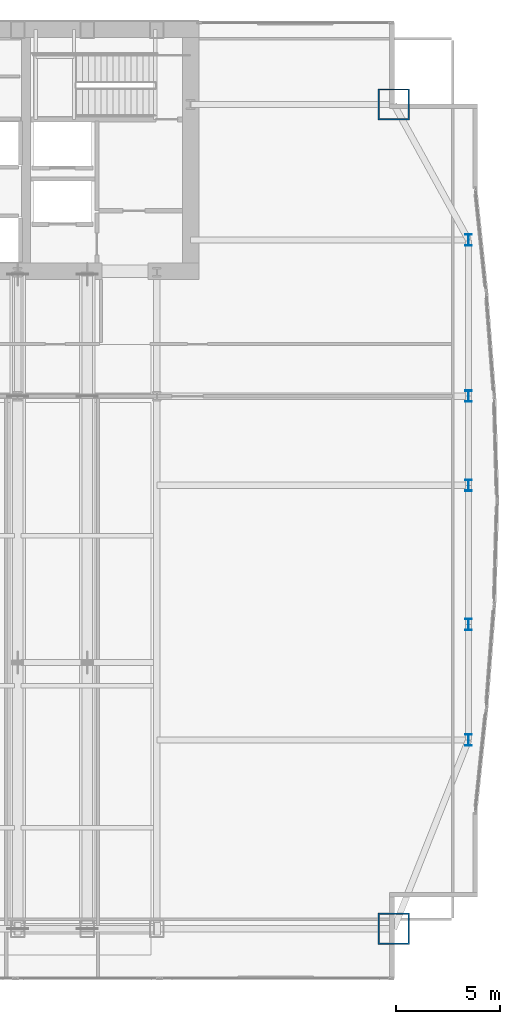
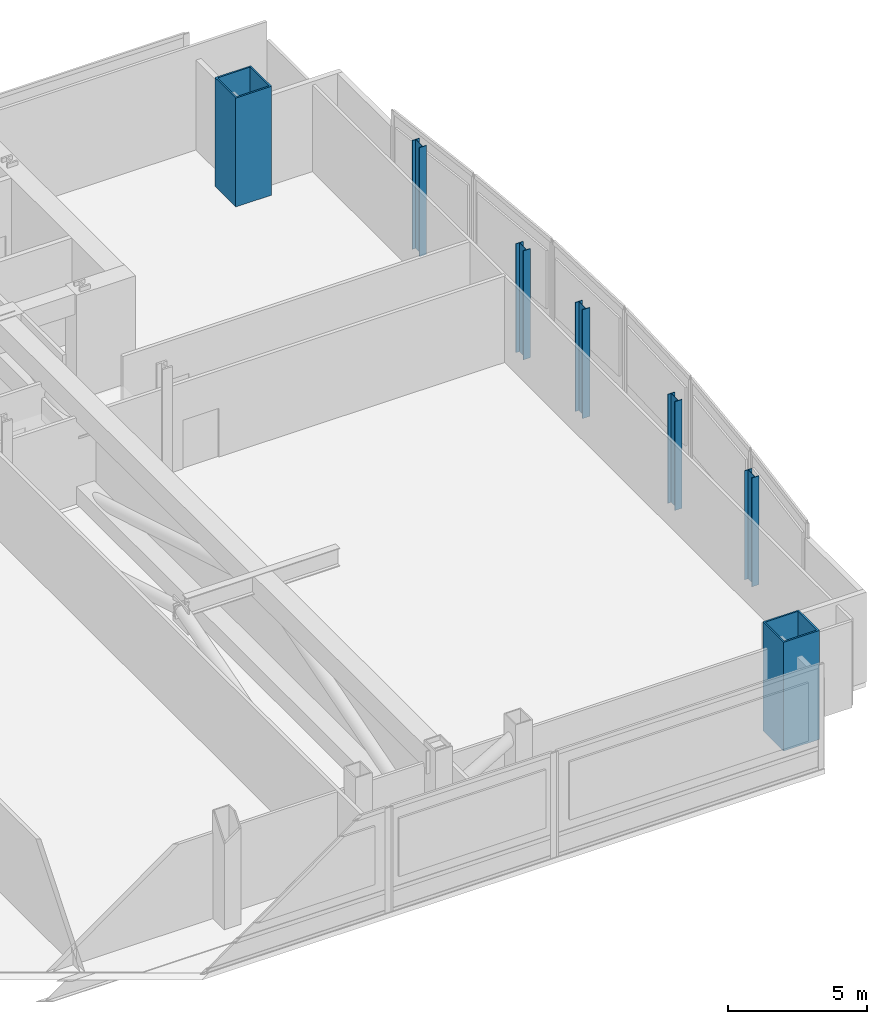
# One storey, part 4 of 32: 7 columns.
"""IFC4 building model written with IfcOpenShell, lengths in metres."""

from ifc_helpers import new_model, si_unit, direction, frame, origin, origin_2d, place, context, subcontext, project, spatial, hollow_rectangle, i_section, extrude, material, material_profile, profile_set, type_object, element, save


model = new_model("IFC4")

# Units and contexts
model_context = context("Model", 3, precision=1e-05, world=origin(), true_north=direction((0.0, 1.0)))
body_context = subcontext(model_context, "Body", "Model", "MODEL_VIEW")
ifc_project = project(units=[si_unit("LENGTHUNIT", "METRE"), si_unit("AREAUNIT", "SQUARE_METRE"), si_unit("VOLUMEUNIT", "CUBIC_METRE"), si_unit("PLANEANGLEUNIT", "RADIAN"), si_unit("MASSUNIT", "GRAM", prefix="KILO")], contexts=[model_context])

# Site, building, storey
site_placement = place(None, origin())
site = spatial("IfcSite", under=ifc_project, at=site_placement, CompositionType="ELEMENT")
building_placement = place(site_placement, origin())
building = spatial("IfcBuilding", under=site, at=building_placement, Name="Khoronbel Lancet Exchange", CompositionType="ELEMENT")
storey_placement = place(building_placement, frame((0.0, 0.0, 85.800048828125)))
storey = spatial("IfcBuildingStorey", under=building, at=storey_placement, Name="L20", CompositionType="ELEMENT", Elevation=85.800048828125)

# Columns
ifc_material_1 = material(Name="Steel S355", Category="steel")
ifc_material_profile_1 = material_profile(ifc_material_1, i_section(OverallWidth=0.300048828125, OverallDepth=0.550048828125, WebThickness=0.014892578125, FlangeThickness=0.029052734375, at=origin_2d()), Name="HEB 550")
ifc_profile_set_1 = profile_set([ifc_material_profile_1], Name="Steel S355")
column_type_1 = type_object("IfcColumnType", Name="COL-LC1", PredefinedType="COLUMN", material=ifc_profile_set_1)
for number, where, z_axis, x_axis, name in (
    (1, (69.6298828125, 19.199951171875, 0.0), (0.0, 0.0, 1.0), (1.0, 0.0, 0.0), "Structural column EC-1 L20"),
    (2, (69.6298828125, 24.75, 0.0), (0.0, 0.0, 1.0), (1.0, 0.0, 0.0), "Structural column EC-2 L20"),
    (3, (69.6298828125, 31.425048828125, 0.0), (0.0, 0.0, 1.0), (1.0, 0.0, 0.0), "Structural column EC-M L20"),
    (4, (69.6298828125, 35.699951171875, 0.0), (0.0, 0.0, 1.0), (1.0, 0.0, 0.0), "Structural column EC-3 L20"),
    (5, (69.6298828125, 43.199951171875, 0.0), (0.0, 0.0, 1.0), (1.0, 0.0, 0.0), "Structural column EC-4 L20"),
):
    element("IfcColumn", number, at=place(storey_placement, frame(where, z_axis=z_axis, x_axis=x_axis)), inside=storey, type_object=column_type_1, Name=name, PredefinedType="COLUMN", context=body_context, shape_type="SweptSolid", body=[
        extrude(i_section(OverallWidth=0.300048828125, OverallDepth=0.550048828125, WebThickness=0.014892578125, FlangeThickness=0.029052734375, at=origin_2d()), origin(), (0.0, 0.0, 1.0), 4.800048828125),
    ])
ifc_material_2 = material(Name="Steel S460", Category="steel")
ifc_material_profile_2 = material_profile(ifc_material_2, hollow_rectangle(XDim=1.5, YDim=1.5, WallThickness=0.070068359375, at=origin_2d()), Name="BOX 1500x1500x70")
ifc_profile_set_2 = profile_set([ifc_material_profile_2], Name="Steel S460")
column_type_2 = type_object("IfcColumnType", Name="COL-MC3", PredefinedType="COLUMN", material=ifc_profile_set_2)
for number, where, z_axis, x_axis, name in (
    (6, (66.050048828125, 10.14990234375, 0.0), (0.0, 0.0, 1.0), (1.0, 0.0, 0.0), "Structural column MC-SE L20"),
    (7, (66.050048828125, 49.699951171875, 0.0), (0.0, 0.0, 1.0), (1.0, 0.0, 0.0), "Structural column MC-NE L20"),
):
    element("IfcColumn", number, at=place(storey_placement, frame(where, z_axis=z_axis, x_axis=x_axis)), inside=storey, type_object=column_type_2, Name=name, PredefinedType="COLUMN", context=body_context, shape_type="SweptSolid", body=[
        extrude(hollow_rectangle(XDim=1.5, YDim=1.5, WallThickness=0.070068359375, at=origin_2d()), origin(), (0.0, 0.0, 1.0), 4.800048828125),
    ])

save(model, "model.ifc")
